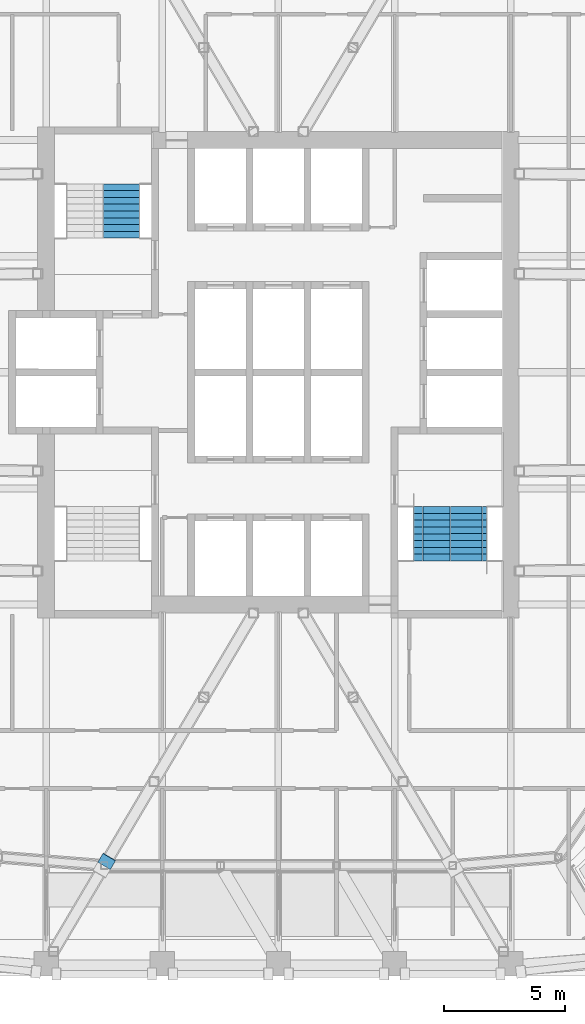
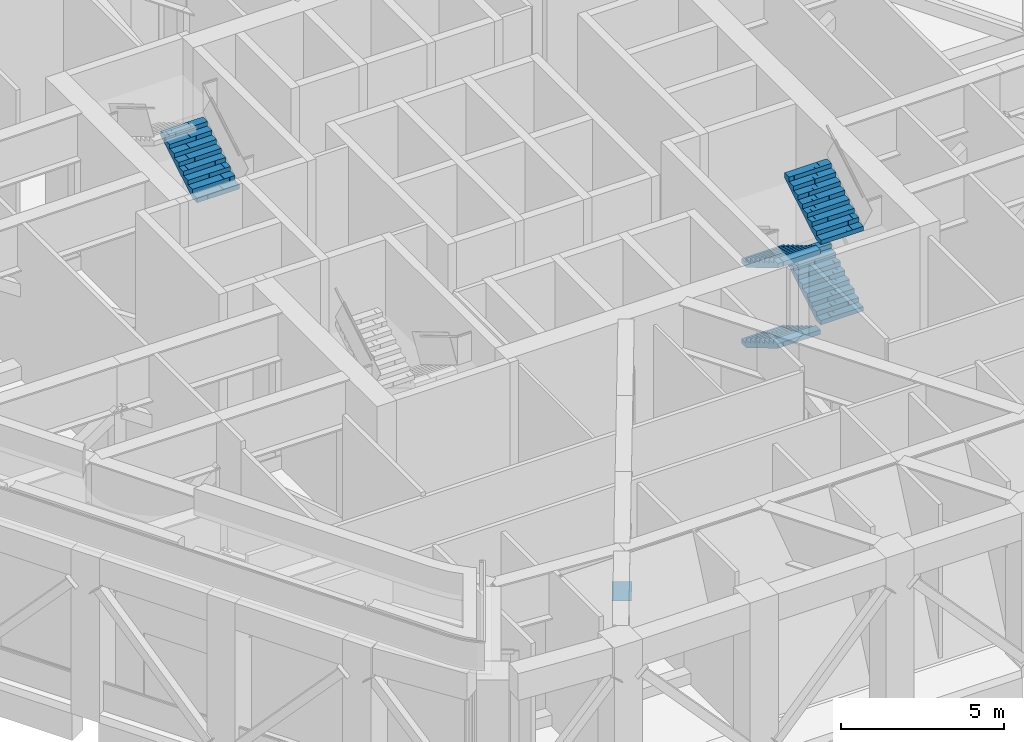
# One storey, part 19 of 24: 5 stair flights, 1 discrete accessory, 2 elements without a shape of their own.
"""IFC4 building model written with IfcOpenShell, lengths in metres."""

from ifc_helpers import new_model, si_unit, direction, frame, origin, origin_2d, place, context, subcontext, project, spatial, polyline, rectangle, outline, extrude, material, type_object, element, aggregate, save


model = new_model("IFC4")

# Units and contexts
model_context = context("Model", 3, precision=1e-05, world=origin(), true_north=direction((0.0, 1.0)))
body_context = subcontext(model_context, "Body", "Model", "MODEL_VIEW")
ifc_project = project(units=[si_unit("LENGTHUNIT", "METRE"), si_unit("AREAUNIT", "SQUARE_METRE"), si_unit("VOLUMEUNIT", "CUBIC_METRE"), si_unit("PLANEANGLEUNIT", "RADIAN"), si_unit("MASSUNIT", "GRAM", prefix="KILO")], contexts=[model_context])

# Site, building, storey
site_placement = place(None, origin())
site = spatial("IfcSite", under=ifc_project, at=site_placement, CompositionType="ELEMENT")
building_placement = place(site_placement, origin())
building = spatial("IfcBuilding", under=site, at=building_placement, Name="Kolab Exchange Tower", CompositionType="ELEMENT")
storey_placement = place(building_placement, frame((0.0, 0.0, 216.800048828125)))
storey = spatial("IfcBuildingStorey", under=building, at=storey_placement, Name="L47", CompositionType="ELEMENT", Elevation=216.800048828125)

# Stair, stair flight
ifc_material = material(Name="Concrete C50/60", Category="concrete")
stair_type_1 = type_object("IfcStairType", Name="STAIR ST1 RISER 166.7", PredefinedType="DOUBLE_RETURN_STAIR", material=ifc_material)
stair_1_placement = place(storey_placement, origin())
stair_1 = element("IfcStair", 1, at=stair_1_placement, inside=storey, type_object=stair_type_1, Name="Stair 1", PredefinedType="DOUBLE_RETURN_STAIR")
stair_flight_type = type_object("IfcStairFlightType", Name="STAIR FLIGHT 1500 RISER 166.7", PredefinedType="STRAIGHT", material=ifc_material)
stair_flight_1_placement = place(storey_placement, frame((-6.489990234375, 5.550048828125, 3.0), z_axis=(0.0, 0.0, 1.0), x_axis=(0.0, 1.0, 0.0)))
stair_flight_1 = element("IfcStairFlight", 2, at=stair_flight_1_placement, type_object=stair_flight_type, Name="ST1 flight 3", NumberOfRisers=9, NumberOfTreads=8, PredefinedType="STRAIGHT", RiserHeight=0.166666667, TreadLength=0.28, context=body_context, shape_type="SweptSolid", body=[
    extrude(outline(polyline([(0.0, 0.0), (0.0, 0.166748046875), (0.280029296875, 0.166748046875), (0.280029296875, 0.333251953125), (0.56005859375, 0.333251953125), (0.56005859375, 0.5), (0.840087890625, 0.5), (0.840087890625, 0.666748046875), (1.1201171875, 0.666748046875), (1.1201171875, 0.833251953125), (1.39990234375, 0.833251953125), (1.39990234375, 1.0), (1.679931640625, 1.0), (1.679931640625, 1.166748046875), (1.9599609375, 1.166748046875), (1.9599609375, 1.333251953125), (2.239990234375, 1.333251953125), (2.239990234375, 1.5), (2.239990234375, 1.158935546875), (0.29296875, 0.0), (0.0, 0.0)])), frame((0.0, 0.75, 0.0), z_axis=(0.0, -1.0, 0.0), x_axis=(1.0, 0.0, 0.0)), (0.0, 0.0, 1.0), 0.185791015625),
    extrude(outline(polyline([(0.0, 0.0), (0.0, 0.166748046875), (0.280029296875, 0.166748046875), (0.280029296875, 0.333251953125), (0.56005859375, 0.333251953125), (0.56005859375, 0.5), (0.840087890625, 0.5), (0.840087890625, 0.666748046875), (1.1201171875, 0.666748046875), (1.1201171875, 0.833251953125), (1.39990234375, 0.833251953125), (1.39990234375, 1.0), (1.679931640625, 1.0), (1.679931640625, 1.166748046875), (1.9599609375, 1.166748046875), (1.9599609375, 1.333251953125), (2.239990234375, 1.333251953125), (2.239990234375, 1.5), (2.239990234375, 1.158935546875), (0.29296875, 0.0), (0.0, 0.0)])), frame((0.0, 0.562255859375, 0.0), z_axis=(0.0, -1.0, 0.0), x_axis=(1.0, 0.0, 0.0)), (0.0, 0.0, 1.0), 0.185791015625),
    extrude(outline(polyline([(0.0, 0.0), (0.0, 0.166748046875), (0.280029296875, 0.166748046875), (0.280029296875, 0.333251953125), (0.56005859375, 0.333251953125), (0.56005859375, 0.5), (0.840087890625, 0.5), (0.840087890625, 0.666748046875), (1.1201171875, 0.666748046875), (1.1201171875, 0.833251953125), (1.39990234375, 0.833251953125), (1.39990234375, 1.0), (1.679931640625, 1.0), (1.679931640625, 1.166748046875), (1.9599609375, 1.166748046875), (1.9599609375, 1.333251953125), (2.239990234375, 1.333251953125), (2.239990234375, 1.5), (2.239990234375, 1.158935546875), (0.29296875, 0.0), (0.0, 0.0)])), frame((0.0, 0.37451171875, 0.0), z_axis=(0.0, -1.0, 0.0), x_axis=(1.0, 0.0, 0.0)), (0.0, 0.0, 1.0), 0.185791015625),
    extrude(outline(polyline([(0.0, 0.0), (0.0, 0.166748046875), (0.280029296875, 0.166748046875), (0.280029296875, 0.333251953125), (0.56005859375, 0.333251953125), (0.56005859375, 0.5), (0.840087890625, 0.5), (0.840087890625, 0.666748046875), (1.1201171875, 0.666748046875), (1.1201171875, 0.833251953125), (1.39990234375, 0.833251953125), (1.39990234375, 1.0), (1.679931640625, 1.0), (1.679931640625, 1.166748046875), (1.9599609375, 1.166748046875), (1.9599609375, 1.333251953125), (2.239990234375, 1.333251953125), (2.239990234375, 1.5), (2.239990234375, 1.158935546875), (0.29296875, 0.0), (0.0, 0.0)])), frame((0.0, 0.186767578125, 0.0), z_axis=(0.0, -1.0, 0.0), x_axis=(1.0, 0.0, 0.0)), (0.0, 0.0, 1.0), 0.185791015625),
    extrude(outline(polyline([(0.0, 0.0), (0.0, 0.166748046875), (0.280029296875, 0.166748046875), (0.280029296875, 0.333251953125), (0.56005859375, 0.333251953125), (0.56005859375, 0.5), (0.840087890625, 0.5), (0.840087890625, 0.666748046875), (1.1201171875, 0.666748046875), (1.1201171875, 0.833251953125), (1.39990234375, 0.833251953125), (1.39990234375, 1.0), (1.679931640625, 1.0), (1.679931640625, 1.166748046875), (1.9599609375, 1.166748046875), (1.9599609375, 1.333251953125), (2.239990234375, 1.333251953125), (2.239990234375, 1.5), (2.239990234375, 1.158935546875), (0.29296875, 0.0), (0.0, 0.0)])), frame((0.0, -0.0009765625, 0.0), z_axis=(0.0, -1.0, 0.0), x_axis=(1.0, 0.0, 0.0)), (0.0, 0.0, 1.0), 0.185791015625),
    extrude(outline(polyline([(0.0, 0.0), (0.0, 0.166748046875), (0.280029296875, 0.166748046875), (0.280029296875, 0.333251953125), (0.56005859375, 0.333251953125), (0.56005859375, 0.5), (0.840087890625, 0.5), (0.840087890625, 0.666748046875), (1.1201171875, 0.666748046875), (1.1201171875, 0.833251953125), (1.39990234375, 0.833251953125), (1.39990234375, 1.0), (1.679931640625, 1.0), (1.679931640625, 1.166748046875), (1.9599609375, 1.166748046875), (1.9599609375, 1.333251953125), (2.239990234375, 1.333251953125), (2.239990234375, 1.5), (2.239990234375, 1.158935546875), (0.29296875, 0.0), (0.0, 0.0)])), frame((0.0, -0.188720703125, 0.0), z_axis=(0.0, -1.0, 0.0), x_axis=(1.0, 0.0, 0.0)), (0.0, 0.0, 1.0), 0.185791015625),
    extrude(outline(polyline([(0.0, 0.0), (0.0, 0.166748046875), (0.280029296875, 0.166748046875), (0.280029296875, 0.333251953125), (0.56005859375, 0.333251953125), (0.56005859375, 0.5), (0.840087890625, 0.5), (0.840087890625, 0.666748046875), (1.1201171875, 0.666748046875), (1.1201171875, 0.833251953125), (1.39990234375, 0.833251953125), (1.39990234375, 1.0), (1.679931640625, 1.0), (1.679931640625, 1.166748046875), (1.9599609375, 1.166748046875), (1.9599609375, 1.333251953125), (2.239990234375, 1.333251953125), (2.239990234375, 1.5), (2.239990234375, 1.158935546875), (0.29296875, 0.0), (0.0, 0.0)])), frame((0.0, -0.37646484375, 0.0), z_axis=(0.0, -1.0, 0.0), x_axis=(1.0, 0.0, 0.0)), (0.0, 0.0, 1.0), 0.185791015625),
    extrude(outline(polyline([(0.0, 0.0), (0.0, 0.166748046875), (0.280029296875, 0.166748046875), (0.280029296875, 0.333251953125), (0.56005859375, 0.333251953125), (0.56005859375, 0.5), (0.840087890625, 0.5), (0.840087890625, 0.666748046875), (1.1201171875, 0.666748046875), (1.1201171875, 0.833251953125), (1.39990234375, 0.833251953125), (1.39990234375, 1.0), (1.679931640625, 1.0), (1.679931640625, 1.166748046875), (1.9599609375, 1.166748046875), (1.9599609375, 1.333251953125), (2.239990234375, 1.333251953125), (2.239990234375, 1.5), (2.239990234375, 1.158935546875), (0.29296875, 0.0), (0.0, 0.0)])), frame((0.0, -0.564208984375, 0.0), z_axis=(0.0, -1.0, 0.0), x_axis=(1.0, 0.0, 0.0)), (0.0, 0.0, 1.0), 0.185791015625),
])
aggregate(stair_1, [stair_flight_1])

# Stair, stair flights
stair_type_2 = type_object("IfcStairType", Name="STAIR ST2 RISER 166.7", PredefinedType="DOUBLE_RETURN_STAIR", material=ifc_material)
stair_2_placement = place(storey_placement, origin())
stair_2 = element("IfcStair", 3, at=stair_2_placement, inside=storey, type_object=stair_type_2, Name="Stair 2", PredefinedType="DOUBLE_RETURN_STAIR")
stair_flight_2_placement = place(storey_placement, frame((6.340087890625, -5.550048828125, 0.0), z_axis=(0.0, 0.0, 1.0), x_axis=(0.0, -1.0, 0.0)))
stair_flight_2 = element("IfcStairFlight", 4, at=stair_flight_2_placement, type_object=stair_flight_type, Name="ST2 flight 1", NumberOfRisers=9, NumberOfTreads=8, PredefinedType="STRAIGHT", RiserHeight=0.166666667, TreadLength=0.28, context=body_context, shape_type="SweptSolid", body=[
    extrude(outline(polyline([(0.0, 0.0), (0.0, 0.166748046875), (0.280029296875, 0.166748046875), (0.280029296875, 0.333251953125), (0.56005859375, 0.333251953125), (0.56005859375, 0.5), (0.840087890625, 0.5), (0.840087890625, 0.666748046875), (1.1201171875, 0.666748046875), (1.1201171875, 0.833251953125), (1.39990234375, 0.833251953125), (1.39990234375, 1.0), (1.679931640625, 1.0), (1.679931640625, 1.166748046875), (1.9599609375, 1.166748046875), (1.9599609375, 1.333251953125), (2.239990234375, 1.333251953125), (2.239990234375, 1.5), (2.239990234375, 1.158935546875), (0.29296875, 0.0), (0.0, 0.0)])), frame((0.0, 0.75, 0.0), z_axis=(0.0, -1.0, 0.0), x_axis=(1.0, 0.0, 0.0)), (0.0, 0.0, 1.0), 0.185791015625),
    extrude(outline(polyline([(0.0, 0.0), (0.0, 0.166748046875), (0.280029296875, 0.166748046875), (0.280029296875, 0.333251953125), (0.56005859375, 0.333251953125), (0.56005859375, 0.5), (0.840087890625, 0.5), (0.840087890625, 0.666748046875), (1.1201171875, 0.666748046875), (1.1201171875, 0.833251953125), (1.39990234375, 0.833251953125), (1.39990234375, 1.0), (1.679931640625, 1.0), (1.679931640625, 1.166748046875), (1.9599609375, 1.166748046875), (1.9599609375, 1.333251953125), (2.239990234375, 1.333251953125), (2.239990234375, 1.5), (2.239990234375, 1.158935546875), (0.29296875, 0.0), (0.0, 0.0)])), frame((0.0, 0.562255859375, 0.0), z_axis=(0.0, -1.0, 0.0), x_axis=(1.0, 0.0, 0.0)), (0.0, 0.0, 1.0), 0.185791015625),
    extrude(outline(polyline([(0.0, 0.0), (0.0, 0.166748046875), (0.280029296875, 0.166748046875), (0.280029296875, 0.333251953125), (0.56005859375, 0.333251953125), (0.56005859375, 0.5), (0.840087890625, 0.5), (0.840087890625, 0.666748046875), (1.1201171875, 0.666748046875), (1.1201171875, 0.833251953125), (1.39990234375, 0.833251953125), (1.39990234375, 1.0), (1.679931640625, 1.0), (1.679931640625, 1.166748046875), (1.9599609375, 1.166748046875), (1.9599609375, 1.333251953125), (2.239990234375, 1.333251953125), (2.239990234375, 1.5), (2.239990234375, 1.158935546875), (0.29296875, 0.0), (0.0, 0.0)])), frame((0.0, 0.37451171875, 0.0), z_axis=(0.0, -1.0, 0.0), x_axis=(1.0, 0.0, 0.0)), (0.0, 0.0, 1.0), 0.185791015625),
    extrude(outline(polyline([(0.0, 0.0), (0.0, 0.166748046875), (0.280029296875, 0.166748046875), (0.280029296875, 0.333251953125), (0.56005859375, 0.333251953125), (0.56005859375, 0.5), (0.840087890625, 0.5), (0.840087890625, 0.666748046875), (1.1201171875, 0.666748046875), (1.1201171875, 0.833251953125), (1.39990234375, 0.833251953125), (1.39990234375, 1.0), (1.679931640625, 1.0), (1.679931640625, 1.166748046875), (1.9599609375, 1.166748046875), (1.9599609375, 1.333251953125), (2.239990234375, 1.333251953125), (2.239990234375, 1.5), (2.239990234375, 1.158935546875), (0.29296875, 0.0), (0.0, 0.0)])), frame((0.0, 0.186767578125, 0.0), z_axis=(0.0, -1.0, 0.0), x_axis=(1.0, 0.0, 0.0)), (0.0, 0.0, 1.0), 0.185791015625),
    extrude(outline(polyline([(0.0, 0.0), (0.0, 0.166748046875), (0.280029296875, 0.166748046875), (0.280029296875, 0.333251953125), (0.56005859375, 0.333251953125), (0.56005859375, 0.5), (0.840087890625, 0.5), (0.840087890625, 0.666748046875), (1.1201171875, 0.666748046875), (1.1201171875, 0.833251953125), (1.39990234375, 0.833251953125), (1.39990234375, 1.0), (1.679931640625, 1.0), (1.679931640625, 1.166748046875), (1.9599609375, 1.166748046875), (1.9599609375, 1.333251953125), (2.239990234375, 1.333251953125), (2.239990234375, 1.5), (2.239990234375, 1.158935546875), (0.29296875, 0.0), (0.0, 0.0)])), frame((0.0, -0.0009765625, 0.0), z_axis=(0.0, -1.0, 0.0), x_axis=(1.0, 0.0, 0.0)), (0.0, 0.0, 1.0), 0.185791015625),
    extrude(outline(polyline([(0.0, 0.0), (0.0, 0.166748046875), (0.280029296875, 0.166748046875), (0.280029296875, 0.333251953125), (0.56005859375, 0.333251953125), (0.56005859375, 0.5), (0.840087890625, 0.5), (0.840087890625, 0.666748046875), (1.1201171875, 0.666748046875), (1.1201171875, 0.833251953125), (1.39990234375, 0.833251953125), (1.39990234375, 1.0), (1.679931640625, 1.0), (1.679931640625, 1.166748046875), (1.9599609375, 1.166748046875), (1.9599609375, 1.333251953125), (2.239990234375, 1.333251953125), (2.239990234375, 1.5), (2.239990234375, 1.158935546875), (0.29296875, 0.0), (0.0, 0.0)])), frame((0.0, -0.188720703125, 0.0), z_axis=(0.0, -1.0, 0.0), x_axis=(1.0, 0.0, 0.0)), (0.0, 0.0, 1.0), 0.185791015625),
    extrude(outline(polyline([(0.0, 0.0), (0.0, 0.166748046875), (0.280029296875, 0.166748046875), (0.280029296875, 0.333251953125), (0.56005859375, 0.333251953125), (0.56005859375, 0.5), (0.840087890625, 0.5), (0.840087890625, 0.666748046875), (1.1201171875, 0.666748046875), (1.1201171875, 0.833251953125), (1.39990234375, 0.833251953125), (1.39990234375, 1.0), (1.679931640625, 1.0), (1.679931640625, 1.166748046875), (1.9599609375, 1.166748046875), (1.9599609375, 1.333251953125), (2.239990234375, 1.333251953125), (2.239990234375, 1.5), (2.239990234375, 1.158935546875), (0.29296875, 0.0), (0.0, 0.0)])), frame((0.0, -0.37646484375, 0.0), z_axis=(0.0, -1.0, 0.0), x_axis=(1.0, 0.0, 0.0)), (0.0, 0.0, 1.0), 0.185791015625),
    extrude(outline(polyline([(0.0, 0.0), (0.0, 0.166748046875), (0.280029296875, 0.166748046875), (0.280029296875, 0.333251953125), (0.56005859375, 0.333251953125), (0.56005859375, 0.5), (0.840087890625, 0.5), (0.840087890625, 0.666748046875), (1.1201171875, 0.666748046875), (1.1201171875, 0.833251953125), (1.39990234375, 0.833251953125), (1.39990234375, 1.0), (1.679931640625, 1.0), (1.679931640625, 1.166748046875), (1.9599609375, 1.166748046875), (1.9599609375, 1.333251953125), (2.239990234375, 1.333251953125), (2.239990234375, 1.5), (2.239990234375, 1.158935546875), (0.29296875, 0.0), (0.0, 0.0)])), frame((0.0, -0.564208984375, 0.0), z_axis=(0.0, -1.0, 0.0), x_axis=(1.0, 0.0, 0.0)), (0.0, 0.0, 1.0), 0.185791015625),
])
stair_flight_3_placement = place(storey_placement, frame((7.860107421875, -7.7900390625, 1.5), z_axis=(0.0, 0.0, 1.0), x_axis=(0.0, 1.0, 0.0)))
stair_flight_3 = element("IfcStairFlight", 5, at=stair_flight_3_placement, type_object=stair_flight_type, Name="ST2 flight 2", NumberOfRisers=9, NumberOfTreads=8, PredefinedType="STRAIGHT", RiserHeight=0.166666667, TreadLength=0.28, context=body_context, shape_type="SweptSolid", body=[
    extrude(outline(polyline([(0.0, 0.0), (0.0, 0.166748046875), (0.280029296875, 0.166748046875), (0.280029296875, 0.333251953125), (0.56005859375, 0.333251953125), (0.56005859375, 0.5), (0.840087890625, 0.5), (0.840087890625, 0.666748046875), (1.1201171875, 0.666748046875), (1.1201171875, 0.833251953125), (1.39990234375, 0.833251953125), (1.39990234375, 1.0), (1.679931640625, 1.0), (1.679931640625, 1.166748046875), (1.9599609375, 1.166748046875), (1.9599609375, 1.333251953125), (2.239990234375, 1.333251953125), (2.239990234375, 1.5), (2.239990234375, 1.158935546875), (0.29296875, 0.0), (0.0, 0.0)])), frame((0.0, 0.75, 0.0), z_axis=(0.0, -1.0, 0.0), x_axis=(1.0, 0.0, 0.0)), (0.0, 0.0, 1.0), 0.185791015625),
    extrude(outline(polyline([(0.0, 0.0), (0.0, 0.166748046875), (0.280029296875, 0.166748046875), (0.280029296875, 0.333251953125), (0.56005859375, 0.333251953125), (0.56005859375, 0.5), (0.840087890625, 0.5), (0.840087890625, 0.666748046875), (1.1201171875, 0.666748046875), (1.1201171875, 0.833251953125), (1.39990234375, 0.833251953125), (1.39990234375, 1.0), (1.679931640625, 1.0), (1.679931640625, 1.166748046875), (1.9599609375, 1.166748046875), (1.9599609375, 1.333251953125), (2.239990234375, 1.333251953125), (2.239990234375, 1.5), (2.239990234375, 1.158935546875), (0.29296875, 0.0), (0.0, 0.0)])), frame((0.0, 0.562255859375, 0.0), z_axis=(0.0, -1.0, 0.0), x_axis=(1.0, 0.0, 0.0)), (0.0, 0.0, 1.0), 0.185791015625),
    extrude(outline(polyline([(0.0, 0.0), (0.0, 0.166748046875), (0.280029296875, 0.166748046875), (0.280029296875, 0.333251953125), (0.56005859375, 0.333251953125), (0.56005859375, 0.5), (0.840087890625, 0.5), (0.840087890625, 0.666748046875), (1.1201171875, 0.666748046875), (1.1201171875, 0.833251953125), (1.39990234375, 0.833251953125), (1.39990234375, 1.0), (1.679931640625, 1.0), (1.679931640625, 1.166748046875), (1.9599609375, 1.166748046875), (1.9599609375, 1.333251953125), (2.239990234375, 1.333251953125), (2.239990234375, 1.5), (2.239990234375, 1.158935546875), (0.29296875, 0.0), (0.0, 0.0)])), frame((0.0, 0.37451171875, 0.0), z_axis=(0.0, -1.0, 0.0), x_axis=(1.0, 0.0, 0.0)), (0.0, 0.0, 1.0), 0.185791015625),
    extrude(outline(polyline([(0.0, 0.0), (0.0, 0.166748046875), (0.280029296875, 0.166748046875), (0.280029296875, 0.333251953125), (0.56005859375, 0.333251953125), (0.56005859375, 0.5), (0.840087890625, 0.5), (0.840087890625, 0.666748046875), (1.1201171875, 0.666748046875), (1.1201171875, 0.833251953125), (1.39990234375, 0.833251953125), (1.39990234375, 1.0), (1.679931640625, 1.0), (1.679931640625, 1.166748046875), (1.9599609375, 1.166748046875), (1.9599609375, 1.333251953125), (2.239990234375, 1.333251953125), (2.239990234375, 1.5), (2.239990234375, 1.158935546875), (0.29296875, 0.0), (0.0, 0.0)])), frame((0.0, 0.186767578125, 0.0), z_axis=(0.0, -1.0, 0.0), x_axis=(1.0, 0.0, 0.0)), (0.0, 0.0, 1.0), 0.185791015625),
    extrude(outline(polyline([(0.0, 0.0), (0.0, 0.166748046875), (0.280029296875, 0.166748046875), (0.280029296875, 0.333251953125), (0.56005859375, 0.333251953125), (0.56005859375, 0.5), (0.840087890625, 0.5), (0.840087890625, 0.666748046875), (1.1201171875, 0.666748046875), (1.1201171875, 0.833251953125), (1.39990234375, 0.833251953125), (1.39990234375, 1.0), (1.679931640625, 1.0), (1.679931640625, 1.166748046875), (1.9599609375, 1.166748046875), (1.9599609375, 1.333251953125), (2.239990234375, 1.333251953125), (2.239990234375, 1.5), (2.239990234375, 1.158935546875), (0.29296875, 0.0), (0.0, 0.0)])), frame((0.0, -0.0009765625, 0.0), z_axis=(0.0, -1.0, 0.0), x_axis=(1.0, 0.0, 0.0)), (0.0, 0.0, 1.0), 0.185791015625),
    extrude(outline(polyline([(0.0, 0.0), (0.0, 0.166748046875), (0.280029296875, 0.166748046875), (0.280029296875, 0.333251953125), (0.56005859375, 0.333251953125), (0.56005859375, 0.5), (0.840087890625, 0.5), (0.840087890625, 0.666748046875), (1.1201171875, 0.666748046875), (1.1201171875, 0.833251953125), (1.39990234375, 0.833251953125), (1.39990234375, 1.0), (1.679931640625, 1.0), (1.679931640625, 1.166748046875), (1.9599609375, 1.166748046875), (1.9599609375, 1.333251953125), (2.239990234375, 1.333251953125), (2.239990234375, 1.5), (2.239990234375, 1.158935546875), (0.29296875, 0.0), (0.0, 0.0)])), frame((0.0, -0.188720703125, 0.0), z_axis=(0.0, -1.0, 0.0), x_axis=(1.0, 0.0, 0.0)), (0.0, 0.0, 1.0), 0.185791015625),
    extrude(outline(polyline([(0.0, 0.0), (0.0, 0.166748046875), (0.280029296875, 0.166748046875), (0.280029296875, 0.333251953125), (0.56005859375, 0.333251953125), (0.56005859375, 0.5), (0.840087890625, 0.5), (0.840087890625, 0.666748046875), (1.1201171875, 0.666748046875), (1.1201171875, 0.833251953125), (1.39990234375, 0.833251953125), (1.39990234375, 1.0), (1.679931640625, 1.0), (1.679931640625, 1.166748046875), (1.9599609375, 1.166748046875), (1.9599609375, 1.333251953125), (2.239990234375, 1.333251953125), (2.239990234375, 1.5), (2.239990234375, 1.158935546875), (0.29296875, 0.0), (0.0, 0.0)])), frame((0.0, -0.37646484375, 0.0), z_axis=(0.0, -1.0, 0.0), x_axis=(1.0, 0.0, 0.0)), (0.0, 0.0, 1.0), 0.185791015625),
    extrude(outline(polyline([(0.0, 0.0), (0.0, 0.166748046875), (0.280029296875, 0.166748046875), (0.280029296875, 0.333251953125), (0.56005859375, 0.333251953125), (0.56005859375, 0.5), (0.840087890625, 0.5), (0.840087890625, 0.666748046875), (1.1201171875, 0.666748046875), (1.1201171875, 0.833251953125), (1.39990234375, 0.833251953125), (1.39990234375, 1.0), (1.679931640625, 1.0), (1.679931640625, 1.166748046875), (1.9599609375, 1.166748046875), (1.9599609375, 1.333251953125), (2.239990234375, 1.333251953125), (2.239990234375, 1.5), (2.239990234375, 1.158935546875), (0.29296875, 0.0), (0.0, 0.0)])), frame((0.0, -0.564208984375, 0.0), z_axis=(0.0, -1.0, 0.0), x_axis=(1.0, 0.0, 0.0)), (0.0, 0.0, 1.0), 0.185791015625),
])
stair_flight_4_placement = place(storey_placement, frame((6.340087890625, -5.550048828125, 3.0), z_axis=(0.0, 0.0, 1.0), x_axis=(0.0, -1.0, 0.0)))
stair_flight_4 = element("IfcStairFlight", 6, at=stair_flight_4_placement, type_object=stair_flight_type, Name="ST2 flight 3", NumberOfRisers=9, NumberOfTreads=8, PredefinedType="STRAIGHT", RiserHeight=0.166666667, TreadLength=0.28, context=body_context, shape_type="SweptSolid", body=[
    extrude(outline(polyline([(0.0, 0.0), (0.0, 0.166748046875), (0.280029296875, 0.166748046875), (0.280029296875, 0.333251953125), (0.56005859375, 0.333251953125), (0.56005859375, 0.5), (0.840087890625, 0.5), (0.840087890625, 0.666748046875), (1.1201171875, 0.666748046875), (1.1201171875, 0.833251953125), (1.39990234375, 0.833251953125), (1.39990234375, 1.0), (1.679931640625, 1.0), (1.679931640625, 1.166748046875), (1.9599609375, 1.166748046875), (1.9599609375, 1.333251953125), (2.239990234375, 1.333251953125), (2.239990234375, 1.5), (2.239990234375, 1.158935546875), (0.29296875, 0.0), (0.0, 0.0)])), frame((0.0, 0.75, 0.0), z_axis=(0.0, -1.0, 0.0), x_axis=(1.0, 0.0, 0.0)), (0.0, 0.0, 1.0), 0.185791015625),
    extrude(outline(polyline([(0.0, 0.0), (0.0, 0.166748046875), (0.280029296875, 0.166748046875), (0.280029296875, 0.333251953125), (0.56005859375, 0.333251953125), (0.56005859375, 0.5), (0.840087890625, 0.5), (0.840087890625, 0.666748046875), (1.1201171875, 0.666748046875), (1.1201171875, 0.833251953125), (1.39990234375, 0.833251953125), (1.39990234375, 1.0), (1.679931640625, 1.0), (1.679931640625, 1.166748046875), (1.9599609375, 1.166748046875), (1.9599609375, 1.333251953125), (2.239990234375, 1.333251953125), (2.239990234375, 1.5), (2.239990234375, 1.158935546875), (0.29296875, 0.0), (0.0, 0.0)])), frame((0.0, 0.562255859375, 0.0), z_axis=(0.0, -1.0, 0.0), x_axis=(1.0, 0.0, 0.0)), (0.0, 0.0, 1.0), 0.185791015625),
    extrude(outline(polyline([(0.0, 0.0), (0.0, 0.166748046875), (0.280029296875, 0.166748046875), (0.280029296875, 0.333251953125), (0.56005859375, 0.333251953125), (0.56005859375, 0.5), (0.840087890625, 0.5), (0.840087890625, 0.666748046875), (1.1201171875, 0.666748046875), (1.1201171875, 0.833251953125), (1.39990234375, 0.833251953125), (1.39990234375, 1.0), (1.679931640625, 1.0), (1.679931640625, 1.166748046875), (1.9599609375, 1.166748046875), (1.9599609375, 1.333251953125), (2.239990234375, 1.333251953125), (2.239990234375, 1.5), (2.239990234375, 1.158935546875), (0.29296875, 0.0), (0.0, 0.0)])), frame((0.0, 0.37451171875, 0.0), z_axis=(0.0, -1.0, 0.0), x_axis=(1.0, 0.0, 0.0)), (0.0, 0.0, 1.0), 0.185791015625),
    extrude(outline(polyline([(0.0, 0.0), (0.0, 0.166748046875), (0.280029296875, 0.166748046875), (0.280029296875, 0.333251953125), (0.56005859375, 0.333251953125), (0.56005859375, 0.5), (0.840087890625, 0.5), (0.840087890625, 0.666748046875), (1.1201171875, 0.666748046875), (1.1201171875, 0.833251953125), (1.39990234375, 0.833251953125), (1.39990234375, 1.0), (1.679931640625, 1.0), (1.679931640625, 1.166748046875), (1.9599609375, 1.166748046875), (1.9599609375, 1.333251953125), (2.239990234375, 1.333251953125), (2.239990234375, 1.5), (2.239990234375, 1.158935546875), (0.29296875, 0.0), (0.0, 0.0)])), frame((0.0, 0.186767578125, 0.0), z_axis=(0.0, -1.0, 0.0), x_axis=(1.0, 0.0, 0.0)), (0.0, 0.0, 1.0), 0.185791015625),
    extrude(outline(polyline([(0.0, 0.0), (0.0, 0.166748046875), (0.280029296875, 0.166748046875), (0.280029296875, 0.333251953125), (0.56005859375, 0.333251953125), (0.56005859375, 0.5), (0.840087890625, 0.5), (0.840087890625, 0.666748046875), (1.1201171875, 0.666748046875), (1.1201171875, 0.833251953125), (1.39990234375, 0.833251953125), (1.39990234375, 1.0), (1.679931640625, 1.0), (1.679931640625, 1.166748046875), (1.9599609375, 1.166748046875), (1.9599609375, 1.333251953125), (2.239990234375, 1.333251953125), (2.239990234375, 1.5), (2.239990234375, 1.158935546875), (0.29296875, 0.0), (0.0, 0.0)])), frame((0.0, -0.0009765625, 0.0), z_axis=(0.0, -1.0, 0.0), x_axis=(1.0, 0.0, 0.0)), (0.0, 0.0, 1.0), 0.185791015625),
    extrude(outline(polyline([(0.0, 0.0), (0.0, 0.166748046875), (0.280029296875, 0.166748046875), (0.280029296875, 0.333251953125), (0.56005859375, 0.333251953125), (0.56005859375, 0.5), (0.840087890625, 0.5), (0.840087890625, 0.666748046875), (1.1201171875, 0.666748046875), (1.1201171875, 0.833251953125), (1.39990234375, 0.833251953125), (1.39990234375, 1.0), (1.679931640625, 1.0), (1.679931640625, 1.166748046875), (1.9599609375, 1.166748046875), (1.9599609375, 1.333251953125), (2.239990234375, 1.333251953125), (2.239990234375, 1.5), (2.239990234375, 1.158935546875), (0.29296875, 0.0), (0.0, 0.0)])), frame((0.0, -0.188720703125, 0.0), z_axis=(0.0, -1.0, 0.0), x_axis=(1.0, 0.0, 0.0)), (0.0, 0.0, 1.0), 0.185791015625),
    extrude(outline(polyline([(0.0, 0.0), (0.0, 0.166748046875), (0.280029296875, 0.166748046875), (0.280029296875, 0.333251953125), (0.56005859375, 0.333251953125), (0.56005859375, 0.5), (0.840087890625, 0.5), (0.840087890625, 0.666748046875), (1.1201171875, 0.666748046875), (1.1201171875, 0.833251953125), (1.39990234375, 0.833251953125), (1.39990234375, 1.0), (1.679931640625, 1.0), (1.679931640625, 1.166748046875), (1.9599609375, 1.166748046875), (1.9599609375, 1.333251953125), (2.239990234375, 1.333251953125), (2.239990234375, 1.5), (2.239990234375, 1.158935546875), (0.29296875, 0.0), (0.0, 0.0)])), frame((0.0, -0.37646484375, 0.0), z_axis=(0.0, -1.0, 0.0), x_axis=(1.0, 0.0, 0.0)), (0.0, 0.0, 1.0), 0.185791015625),
    extrude(outline(polyline([(0.0, 0.0), (0.0, 0.166748046875), (0.280029296875, 0.166748046875), (0.280029296875, 0.333251953125), (0.56005859375, 0.333251953125), (0.56005859375, 0.5), (0.840087890625, 0.5), (0.840087890625, 0.666748046875), (1.1201171875, 0.666748046875), (1.1201171875, 0.833251953125), (1.39990234375, 0.833251953125), (1.39990234375, 1.0), (1.679931640625, 1.0), (1.679931640625, 1.166748046875), (1.9599609375, 1.166748046875), (1.9599609375, 1.333251953125), (2.239990234375, 1.333251953125), (2.239990234375, 1.5), (2.239990234375, 1.158935546875), (0.29296875, 0.0), (0.0, 0.0)])), frame((0.0, -0.564208984375, 0.0), z_axis=(0.0, -1.0, 0.0), x_axis=(1.0, 0.0, 0.0)), (0.0, 0.0, 1.0), 0.185791015625),
])
stair_flight_5_placement = place(storey_placement, frame((7.860107421875, -7.7900390625, 4.5), z_axis=(0.0, 0.0, 1.0), x_axis=(0.0, 1.0, 0.0)))
stair_flight_5 = element("IfcStairFlight", 7, at=stair_flight_5_placement, type_object=stair_flight_type, Name="ST2 flight 4", NumberOfRisers=9, NumberOfTreads=8, PredefinedType="STRAIGHT", RiserHeight=0.166666667, TreadLength=0.28, context=body_context, shape_type="SweptSolid", body=[
    extrude(outline(polyline([(0.0, 0.0), (0.0, 0.166748046875), (0.280029296875, 0.166748046875), (0.280029296875, 0.333251953125), (0.56005859375, 0.333251953125), (0.56005859375, 0.5), (0.840087890625, 0.5), (0.840087890625, 0.666748046875), (1.1201171875, 0.666748046875), (1.1201171875, 0.833251953125), (1.39990234375, 0.833251953125), (1.39990234375, 1.0), (1.679931640625, 1.0), (1.679931640625, 1.166748046875), (1.9599609375, 1.166748046875), (1.9599609375, 1.333251953125), (2.239990234375, 1.333251953125), (2.239990234375, 1.5), (2.239990234375, 1.158935546875), (0.29296875, 0.0), (0.0, 0.0)])), frame((0.0, 0.75, 0.0), z_axis=(0.0, -1.0, 0.0), x_axis=(1.0, 0.0, 0.0)), (0.0, 0.0, 1.0), 0.185791015625),
    extrude(outline(polyline([(0.0, 0.0), (0.0, 0.166748046875), (0.280029296875, 0.166748046875), (0.280029296875, 0.333251953125), (0.56005859375, 0.333251953125), (0.56005859375, 0.5), (0.840087890625, 0.5), (0.840087890625, 0.666748046875), (1.1201171875, 0.666748046875), (1.1201171875, 0.833251953125), (1.39990234375, 0.833251953125), (1.39990234375, 1.0), (1.679931640625, 1.0), (1.679931640625, 1.166748046875), (1.9599609375, 1.166748046875), (1.9599609375, 1.333251953125), (2.239990234375, 1.333251953125), (2.239990234375, 1.5), (2.239990234375, 1.158935546875), (0.29296875, 0.0), (0.0, 0.0)])), frame((0.0, 0.562255859375, 0.0), z_axis=(0.0, -1.0, 0.0), x_axis=(1.0, 0.0, 0.0)), (0.0, 0.0, 1.0), 0.185791015625),
    extrude(outline(polyline([(0.0, 0.0), (0.0, 0.166748046875), (0.280029296875, 0.166748046875), (0.280029296875, 0.333251953125), (0.56005859375, 0.333251953125), (0.56005859375, 0.5), (0.840087890625, 0.5), (0.840087890625, 0.666748046875), (1.1201171875, 0.666748046875), (1.1201171875, 0.833251953125), (1.39990234375, 0.833251953125), (1.39990234375, 1.0), (1.679931640625, 1.0), (1.679931640625, 1.166748046875), (1.9599609375, 1.166748046875), (1.9599609375, 1.333251953125), (2.239990234375, 1.333251953125), (2.239990234375, 1.5), (2.239990234375, 1.158935546875), (0.29296875, 0.0), (0.0, 0.0)])), frame((0.0, 0.37451171875, 0.0), z_axis=(0.0, -1.0, 0.0), x_axis=(1.0, 0.0, 0.0)), (0.0, 0.0, 1.0), 0.185791015625),
    extrude(outline(polyline([(0.0, 0.0), (0.0, 0.166748046875), (0.280029296875, 0.166748046875), (0.280029296875, 0.333251953125), (0.56005859375, 0.333251953125), (0.56005859375, 0.5), (0.840087890625, 0.5), (0.840087890625, 0.666748046875), (1.1201171875, 0.666748046875), (1.1201171875, 0.833251953125), (1.39990234375, 0.833251953125), (1.39990234375, 1.0), (1.679931640625, 1.0), (1.679931640625, 1.166748046875), (1.9599609375, 1.166748046875), (1.9599609375, 1.333251953125), (2.239990234375, 1.333251953125), (2.239990234375, 1.5), (2.239990234375, 1.158935546875), (0.29296875, 0.0), (0.0, 0.0)])), frame((0.0, 0.186767578125, 0.0), z_axis=(0.0, -1.0, 0.0), x_axis=(1.0, 0.0, 0.0)), (0.0, 0.0, 1.0), 0.185791015625),
    extrude(outline(polyline([(0.0, 0.0), (0.0, 0.166748046875), (0.280029296875, 0.166748046875), (0.280029296875, 0.333251953125), (0.56005859375, 0.333251953125), (0.56005859375, 0.5), (0.840087890625, 0.5), (0.840087890625, 0.666748046875), (1.1201171875, 0.666748046875), (1.1201171875, 0.833251953125), (1.39990234375, 0.833251953125), (1.39990234375, 1.0), (1.679931640625, 1.0), (1.679931640625, 1.166748046875), (1.9599609375, 1.166748046875), (1.9599609375, 1.333251953125), (2.239990234375, 1.333251953125), (2.239990234375, 1.5), (2.239990234375, 1.158935546875), (0.29296875, 0.0), (0.0, 0.0)])), frame((0.0, -0.0009765625, 0.0), z_axis=(0.0, -1.0, 0.0), x_axis=(1.0, 0.0, 0.0)), (0.0, 0.0, 1.0), 0.185791015625),
    extrude(outline(polyline([(0.0, 0.0), (0.0, 0.166748046875), (0.280029296875, 0.166748046875), (0.280029296875, 0.333251953125), (0.56005859375, 0.333251953125), (0.56005859375, 0.5), (0.840087890625, 0.5), (0.840087890625, 0.666748046875), (1.1201171875, 0.666748046875), (1.1201171875, 0.833251953125), (1.39990234375, 0.833251953125), (1.39990234375, 1.0), (1.679931640625, 1.0), (1.679931640625, 1.166748046875), (1.9599609375, 1.166748046875), (1.9599609375, 1.333251953125), (2.239990234375, 1.333251953125), (2.239990234375, 1.5), (2.239990234375, 1.158935546875), (0.29296875, 0.0), (0.0, 0.0)])), frame((0.0, -0.188720703125, 0.0), z_axis=(0.0, -1.0, 0.0), x_axis=(1.0, 0.0, 0.0)), (0.0, 0.0, 1.0), 0.185791015625),
    extrude(outline(polyline([(0.0, 0.0), (0.0, 0.166748046875), (0.280029296875, 0.166748046875), (0.280029296875, 0.333251953125), (0.56005859375, 0.333251953125), (0.56005859375, 0.5), (0.840087890625, 0.5), (0.840087890625, 0.666748046875), (1.1201171875, 0.666748046875), (1.1201171875, 0.833251953125), (1.39990234375, 0.833251953125), (1.39990234375, 1.0), (1.679931640625, 1.0), (1.679931640625, 1.166748046875), (1.9599609375, 1.166748046875), (1.9599609375, 1.333251953125), (2.239990234375, 1.333251953125), (2.239990234375, 1.5), (2.239990234375, 1.158935546875), (0.29296875, 0.0), (0.0, 0.0)])), frame((0.0, -0.37646484375, 0.0), z_axis=(0.0, -1.0, 0.0), x_axis=(1.0, 0.0, 0.0)), (0.0, 0.0, 1.0), 0.185791015625),
    extrude(outline(polyline([(0.0, 0.0), (0.0, 0.166748046875), (0.280029296875, 0.166748046875), (0.280029296875, 0.333251953125), (0.56005859375, 0.333251953125), (0.56005859375, 0.5), (0.840087890625, 0.5), (0.840087890625, 0.666748046875), (1.1201171875, 0.666748046875), (1.1201171875, 0.833251953125), (1.39990234375, 0.833251953125), (1.39990234375, 1.0), (1.679931640625, 1.0), (1.679931640625, 1.166748046875), (1.9599609375, 1.166748046875), (1.9599609375, 1.333251953125), (2.239990234375, 1.333251953125), (2.239990234375, 1.5), (2.239990234375, 1.158935546875), (0.29296875, 0.0), (0.0, 0.0)])), frame((0.0, -0.564208984375, 0.0), z_axis=(0.0, -1.0, 0.0), x_axis=(1.0, 0.0, 0.0)), (0.0, 0.0, 1.0), 0.185791015625),
])
aggregate(stair_2, [stair_flight_2, stair_flight_3, stair_flight_4, stair_flight_5])

# Discrete accessory
discrete_accessory_placement = place(storey_placement, frame((-7.093017578125, -20.203857421875, 4.050048828125), z_axis=(-0.360705342934, -0.614173962293, 0.701913099764), x_axis=(0.862285860494, -0.506421854576, 0.0)))
element("IfcDiscreteAccessory", 8, at=discrete_accessory_placement, inside=storey, Name="Gusset plate", ObjectType="GUSSET PLATE", PredefinedType="USERDEFINED", context=body_context, shape_type="SweptSolid", body=[
    extrude(rectangle(XDim=0.60009765625, YDim=0.60009765625, at=origin_2d()), origin(), (0.0, 0.0, 1.0), 0.025146484375),
])

save(model, "model.ifc")
